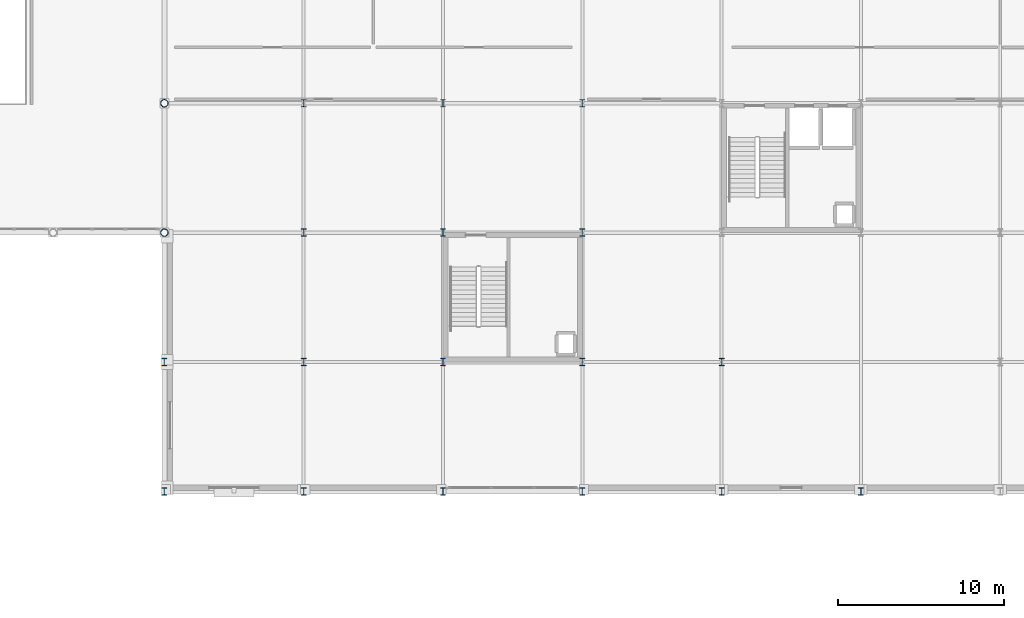
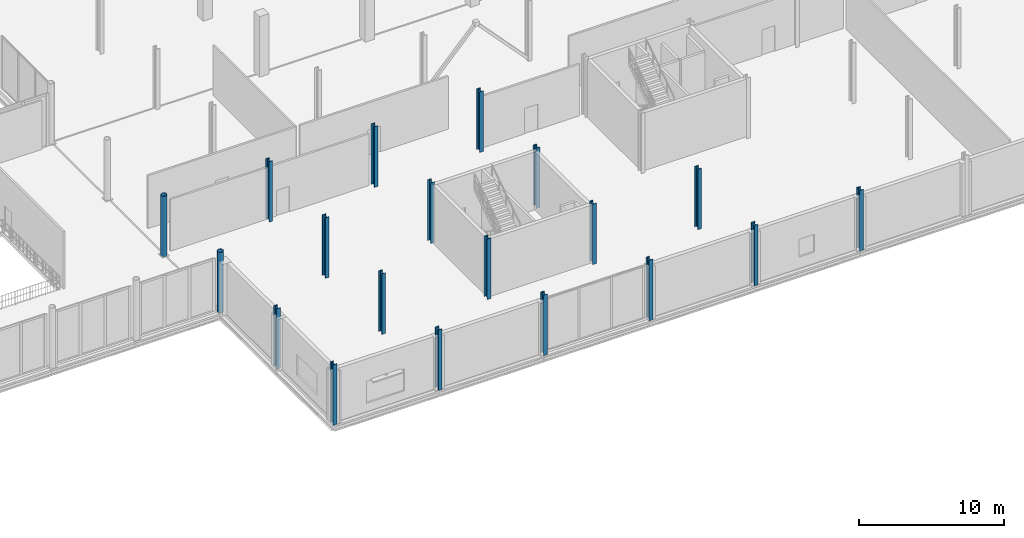
# One storey, part 15 of 105: 19 columns.
"""IFC4 building model written with IfcOpenShell, lengths in metres."""

from ifc_helpers import new_model, si_unit, direction, frame, origin, origin_2d, place, context, subcontext, project, spatial, hollow_circle, i_section, extrude, material, material_profile, profile_set, type_object, element, save


model = new_model("IFC4")

# Units and contexts
model_context = context("Model", 3, precision=1e-05, world=origin(), true_north=direction((0.0, 1.0)))
body_context = subcontext(model_context, "Body", "Model", "MODEL_VIEW")
ifc_project = project(units=[si_unit("LENGTHUNIT", "METRE"), si_unit("AREAUNIT", "SQUARE_METRE"), si_unit("VOLUMEUNIT", "CUBIC_METRE"), si_unit("PLANEANGLEUNIT", "RADIAN"), si_unit("MASSUNIT", "GRAM", prefix="KILO")], contexts=[model_context])

# Site, building, storey
site_placement = place(None, origin())
site = spatial("IfcSite", under=ifc_project, at=site_placement, CompositionType="ELEMENT")
building_placement = place(site_placement, origin())
building = spatial("IfcBuilding", under=site, at=building_placement, Name="Nabrawat Pavilion Hospital", CompositionType="ELEMENT")
storey_placement = place(building_placement, frame((0.0, 0.0, 5.10009765625)))
storey = spatial("IfcBuildingStorey", under=building, at=storey_placement, Name="L01", CompositionType="ELEMENT", Elevation=5.10009765625)

# Columns
ifc_material = material(Name="Steel S355", Category="steel")
ifc_material_profile_1 = material_profile(ifc_material, i_section(OverallWidth=0.300048828125, OverallDepth=0.449951171875, WebThickness=0.013916015625, FlangeThickness=0.02587890625, FilletRadius=0.027099609375, at=origin_2d()), Name="HEB 450")
ifc_profile_set_1 = profile_set([ifc_material_profile_1], Name="Steel S355")
column_type_1 = type_object("IfcColumnType", Name="Composite Steel Column HEB 450", PredefinedType="COLUMN", material=ifc_profile_set_1)
for number, where, z_axis, x_axis, name in (
    (1, (126.0, 0.0, 0.0), (0.0, 0.0, 1.0), (1.0, 0.0, 0.0), "L01 Structural Column G-16A-A"),
    (2, (126.0, 7.800048828125, 0.0), (0.0, 0.0, 1.0), (1.0, 0.0, 0.0), "L01 Structural Column G-16A-B"),
    (3, (134.39990234375, 0.0, 0.0), (0.0, 0.0, 1.0), (1.0, 0.0, 0.0), "L01 Structural Column G-17-A"),
    (4, (134.39990234375, 7.800048828125, 0.0), (0.0, 0.0, 1.0), (1.0, 0.0, 0.0), "L01 Structural Column G-17-B"),
    (5, (134.39990234375, 15.60009765625, 0.0), (0.0, 0.0, 1.0), (1.0, 0.0, 0.0), "L01 Structural Column G-17-C"),
    (6, (134.39990234375, 23.39990234375, 0.0), (0.0, 0.0, 1.0), (1.0, 0.0, 0.0), "L01 Structural Column G-17-D"),
    (7, (142.800048828125, 0.0, 0.0), (0.0, 0.0, 1.0), (1.0, 0.0, 0.0), "L01 Structural Column G-18-A"),
    (8, (142.800048828125, 7.800048828125, 0.0), (0.0, 0.0, 1.0), (1.0, 0.0, 0.0), "L01 Structural Column G-18-B"),
    (9, (142.800048828125, 15.60009765625, 0.0), (0.0, 0.0, 1.0), (1.0, 0.0, 0.0), "L01 Structural Column G-18-C"),
    (10, (142.800048828125, 23.39990234375, 0.0), (0.0, 0.0, 1.0), (1.0, 0.0, 0.0), "L01 Structural Column G-18-D"),
    (11, (151.199951171875, 0.0, 0.0), (0.0, 0.0, 1.0), (1.0, 0.0, 0.0), "L01 Structural Column G-19-A"),
    (12, (151.199951171875, 7.800048828125, 0.0), (0.0, 0.0, 1.0), (1.0, 0.0, 0.0), "L01 Structural Column G-19-B"),
    (13, (151.199951171875, 15.60009765625, 0.0), (0.0, 0.0, 1.0), (1.0, 0.0, 0.0), "L01 Structural Column G-19-C"),
    (14, (151.199951171875, 23.39990234375, 0.0), (0.0, 0.0, 1.0), (1.0, 0.0, 0.0), "L01 Structural Column G-19-D"),
    (15, (159.60009765625, 0.0, 0.0), (0.0, 0.0, 1.0), (1.0, 0.0, 0.0), "L01 Structural Column G-20-A"),
    (16, (159.60009765625, 7.800048828125, 0.0), (0.0, 0.0, 1.0), (1.0, 0.0, 0.0), "L01 Structural Column G-20-B"),
    (17, (168.0, 0.0, 0.0), (0.0, 0.0, 1.0), (1.0, 0.0, 0.0), "L01 Structural Column G-21-A"),
):
    element("IfcColumn", number, at=place(storey_placement, frame(where, z_axis=z_axis, x_axis=x_axis)), inside=storey, type_object=column_type_1, Name=name, PredefinedType="COLUMN", context=body_context, shape_type="SweptSolid", body=[
        extrude(i_section(OverallWidth=0.300048828125, OverallDepth=0.449951171875, WebThickness=0.013916015625, FlangeThickness=0.02587890625, FilletRadius=0.027099609375, at=origin_2d()), origin(), (0.0, 0.0, 1.0), 5.099853515625),
    ])
ifc_material_profile_2 = material_profile(ifc_material, hollow_circle(Radius=0.228515625, WallThickness=0.02001953125, at=origin_2d()), Name="CHS 457x20")
ifc_profile_set_2 = profile_set([ifc_material_profile_2], Name="Steel S355")
column_type_2 = type_object("IfcColumnType", Name="Expressed Pavilion Tubular Column CHS 457x20", PredefinedType="COLUMN", material=ifc_profile_set_2)
for number, where, z_axis, x_axis, name in (
    (18, (126.0, 23.39990234375, 0.0), (0.0, 0.0, 1.0), (1.0, 0.0, 0.0), "L01 Expressed Pavilion Column MH-E01"),
    (19, (126.0, 15.60009765625, 0.0), (0.0, 0.0, 1.0), (1.0, 0.0, 0.0), "L01 Expressed Pavilion Column MH-S10"),
):
    element("IfcColumn", number, at=place(storey_placement, frame(where, z_axis=z_axis, x_axis=x_axis)), inside=storey, type_object=column_type_2, Name=name, PredefinedType="COLUMN", context=body_context, shape_type="SweptSolid", body=[
        extrude(hollow_circle(Radius=0.228515625, WallThickness=0.02001953125, at=origin_2d()), origin(), (0.0, 0.0, 1.0), 5.099853515625),
    ])

save(model, "model.ifc")
